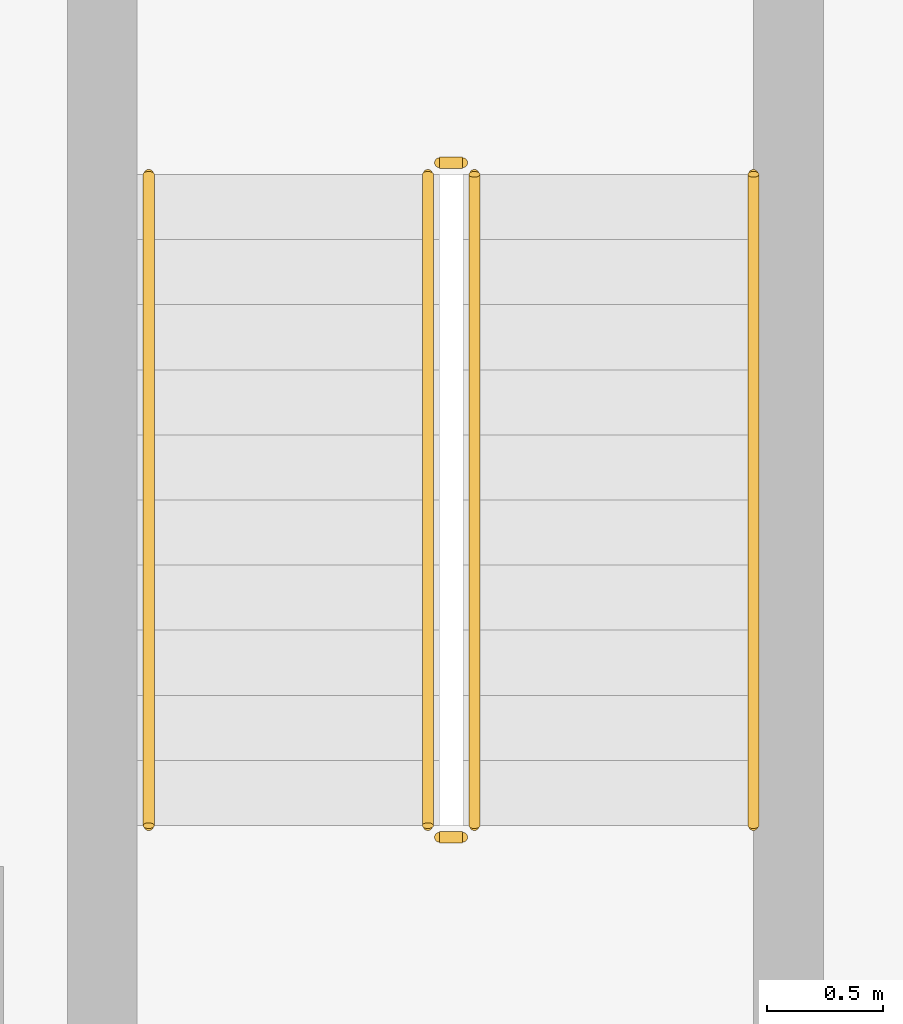
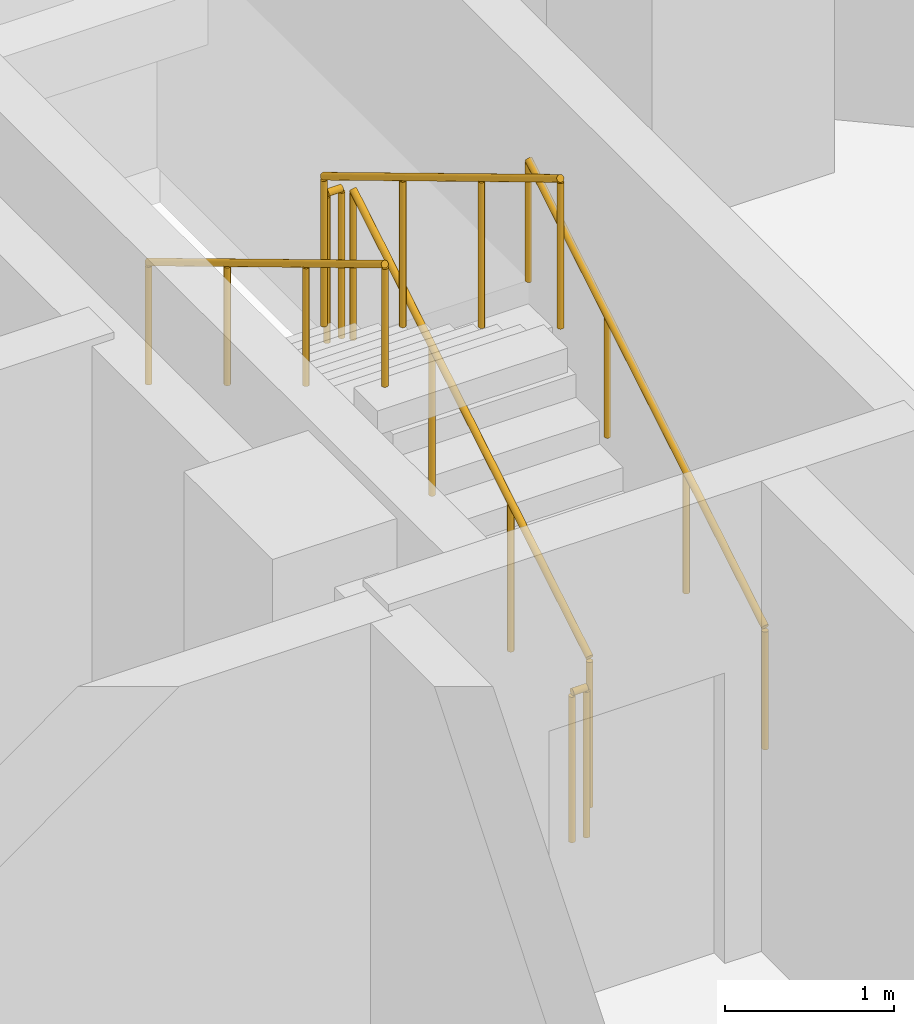
# One storey, part 33 of 35: 6 railings.
"""IFC4 building model written with IfcOpenShell, lengths in metres."""

from ifc_helpers import new_model, si_unit, direction, frame, origin, origin_2d, place, context, subcontext, project, spatial, circle, extrude, material, type_object, element, save


model = new_model("IFC4")

# Units and contexts
model_context = context("Model", 3, precision=1e-05, world=origin(), true_north=direction((0.0, 1.0)))
body_context = subcontext(model_context, "Body", "Model", "MODEL_VIEW")
ifc_project = project(units=[si_unit("LENGTHUNIT", "METRE"), si_unit("AREAUNIT", "SQUARE_METRE"), si_unit("VOLUMEUNIT", "CUBIC_METRE"), si_unit("PLANEANGLEUNIT", "RADIAN"), si_unit("MASSUNIT", "GRAM", prefix="KILO")], contexts=[model_context])

# Site, building, storey
site_placement = place(None, origin())
site = spatial("IfcSite", under=ifc_project, at=site_placement, CompositionType="ELEMENT")
building_placement = place(site_placement, origin())
building = spatial("IfcBuilding", under=site, at=building_placement, Name="Ogive Portal Towers", CompositionType="ELEMENT")
storey_placement = place(building_placement, frame((0.0, 0.0, 94.5)))
storey = spatial("IfcBuildingStorey", under=building, at=storey_placement, Name="L22", CompositionType="ELEMENT", Elevation=94.5)

# Railings
ifc_material_1 = material(Name="Stainless steel balustrade", Category="steel")
railing_type_1 = type_object("IfcRailingType", Name="INT-GUARD", PredefinedType="GUARDRAIL", material=ifc_material_1)
railing_1_placement = place(storey_placement, frame((42.949951171875, 67.199951171875, 0.168212890625)))
element("IfcRailing", 1, at=railing_1_placement, inside=storey, type_object=railing_type_1, Name="L22 ST-A3 stair guard 1", PredefinedType="GUARDRAIL", context=body_context, shape_type="SweptSolid", body=[
    extrude(circle(Radius=0.02392578125, at=origin_2d()), frame((0.0, 0.0, 1.076171875), z_axis=(0.0, 0.857242210791, 0.514913383045), x_axis=(-1.0, 0.0, 0.0)), (0.0, 0.0, 1.0), 3.266357421875),
    extrude(circle(Radius=0.02099609375, at=origin_2d()), origin(), (0.0, 0.0, 1.0), 1.052001953125),
    extrude(circle(Radius=0.02099609375, at=origin_2d()), frame((0.0, 0.933349609375, 0.560546875)), (0.0, 0.0, 1.0), 1.052001953125),
    extrude(circle(Radius=0.02099609375, at=origin_2d()), frame((0.0, 1.86669921875, 1.121337890625)), (0.0, 0.0, 1.0), 1.052001953125),
    extrude(circle(Radius=0.02099609375, at=origin_2d()), frame((0.0, 2.800048828125, 1.681884765625)), (0.0, 0.0, 1.0), 1.052001953125),
])
railing_2_placement = place(storey_placement, frame((42.89990234375, 70.050048828125, 1.85009765625)))
element("IfcRailing", 2, at=railing_2_placement, inside=storey, type_object=railing_type_1, Name="L22 ST-A3 stair guard 2", PredefinedType="GUARDRAIL", context=body_context, shape_type="SweptSolid", body=[
    extrude(circle(Radius=0.02392578125, at=origin_2d()), frame((0.0, 0.0, 1.076171875), z_axis=(-1.0, 0.0, 0.0), x_axis=(0.0, -1.0, 0.0)), (0.0, 0.0, 1.0), 0.099853515625),
    extrude(circle(Radius=0.02099609375, at=origin_2d()), origin(), (0.0, 0.0, 1.0), 1.052001953125),
    extrude(circle(Radius=0.02099609375, at=origin_2d()), frame((-0.099853515625, 0.0, 0.0)), (0.0, 0.0, 1.0), 1.052001953125),
])
railing_3_placement = place(storey_placement, frame((42.75, 70.0, 2.01806640625)))
element("IfcRailing", 3, at=railing_3_placement, inside=storey, type_object=railing_type_1, Name="L22 ST-A3 stair guard 3", PredefinedType="GUARDRAIL", context=body_context, shape_type="SweptSolid", body=[
    extrude(circle(Radius=0.02392578125, at=origin_2d()), frame((0.0, 0.0, 1.076171875), z_axis=(0.0, -0.857242210791, 0.514913383045), x_axis=(1.0, 0.0, 0.0)), (0.0, 0.0, 1.0), 3.266357421875),
    extrude(circle(Radius=0.02099609375, at=origin_2d()), origin(), (0.0, 0.0, 1.0), 1.052001953125),
    extrude(circle(Radius=0.02099609375, at=origin_2d()), frame((0.0, -0.933349609375, 0.560546875)), (0.0, 0.0, 1.0), 1.052001953125),
    extrude(circle(Radius=0.02099609375, at=origin_2d()), frame((0.0, -1.86669921875, 1.121337890625)), (0.0, 0.0, 1.0), 1.052001953125),
    extrude(circle(Radius=0.02099609375, at=origin_2d()), frame((0.0, -2.800048828125, 1.681884765625)), (0.0, 0.0, 1.0), 1.052001953125),
])
railing_4_placement = place(storey_placement, frame((42.89990234375, 67.14990234375, 0.0)))
element("IfcRailing", 4, at=railing_4_placement, inside=storey, type_object=railing_type_1, Name="L22 ST-A3 stair guard 4", PredefinedType="GUARDRAIL", context=body_context, shape_type="SweptSolid", body=[
    extrude(circle(Radius=0.02392578125, at=origin_2d()), frame((0.0, 0.0, 1.076171875), z_axis=(-1.0, 0.0, 0.0), x_axis=(0.0, -1.0, 0.0)), (0.0, 0.0, 1.0), 0.099853515625),
    extrude(circle(Radius=0.02099609375, at=origin_2d()), origin(), (0.0, 0.0, 1.0), 1.052001953125),
    extrude(circle(Radius=0.02099609375, at=origin_2d()), frame((-0.099853515625, 0.0, 0.0)), (0.0, 0.0, 1.0), 1.052001953125),
])
ifc_material_2 = material(Name="Stainless steel handrail", Category="steel")
railing_type_2 = type_object("IfcRailingType", Name="INT-HANDRAIL", PredefinedType="HANDRAIL", material=ifc_material_2)
railing_5_placement = place(storey_placement, frame((44.14990234375, 67.199951171875, 0.168212890625)))
element("IfcRailing", 5, at=railing_5_placement, inside=storey, type_object=railing_type_2, Name="L22 ST-A3 stair handrail 1", PredefinedType="HANDRAIL", context=body_context, shape_type="SweptSolid", body=[
    extrude(circle(Radius=0.02392578125, at=origin_2d()), frame((0.0, 0.0, 0.8759765625), z_axis=(0.0, 0.857242210791, 0.514913383045), x_axis=(-1.0, 0.0, 0.0)), (0.0, 0.0, 1.0), 3.266357421875),
    extrude(circle(Radius=0.02099609375, at=origin_2d()), origin(), (0.0, 0.0, 1.0), 0.851806640625),
    extrude(circle(Radius=0.02099609375, at=origin_2d()), frame((0.0, 0.933349609375, 0.560546875)), (0.0, 0.0, 1.0), 0.851806640625),
    extrude(circle(Radius=0.02099609375, at=origin_2d()), frame((0.0, 1.86669921875, 1.121337890625)), (0.0, 0.0, 1.0), 0.851806640625),
    extrude(circle(Radius=0.02099609375, at=origin_2d()), frame((0.0, 2.800048828125, 1.681884765625)), (0.0, 0.0, 1.0), 0.851806640625),
])
railing_6_placement = place(storey_placement, frame((41.550048828125, 70.0, 2.01806640625)))
element("IfcRailing", 6, at=railing_6_placement, inside=storey, type_object=railing_type_2, Name="L22 ST-A3 stair handrail 2", PredefinedType="HANDRAIL", context=body_context, shape_type="SweptSolid", body=[
    extrude(circle(Radius=0.02392578125, at=origin_2d()), frame((0.0, 0.0, 0.8759765625), z_axis=(0.0, -0.857242210791, 0.514913383045), x_axis=(1.0, 0.0, 0.0)), (0.0, 0.0, 1.0), 3.266357421875),
    extrude(circle(Radius=0.02099609375, at=origin_2d()), origin(), (0.0, 0.0, 1.0), 0.851806640625),
    extrude(circle(Radius=0.02099609375, at=origin_2d()), frame((0.0, -0.933349609375, 0.560546875)), (0.0, 0.0, 1.0), 0.851806640625),
    extrude(circle(Radius=0.02099609375, at=origin_2d()), frame((0.0, -1.86669921875, 1.121337890625)), (0.0, 0.0, 1.0), 0.851806640625),
    extrude(circle(Radius=0.02099609375, at=origin_2d()), frame((0.0, -2.800048828125, 1.681884765625)), (0.0, 0.0, 1.0), 0.851806640625),
])

save(model, "model.ifc")
